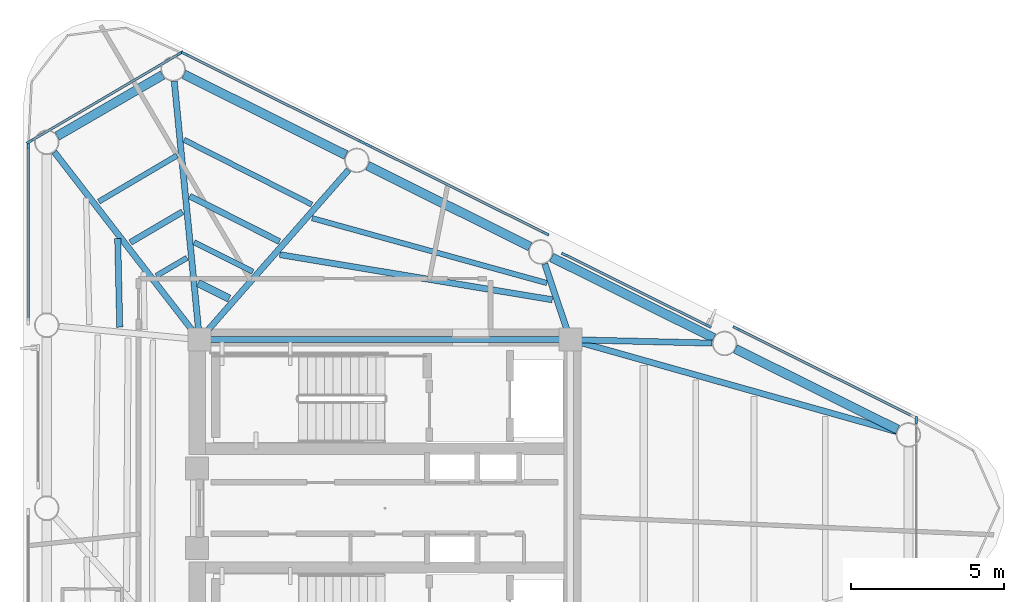
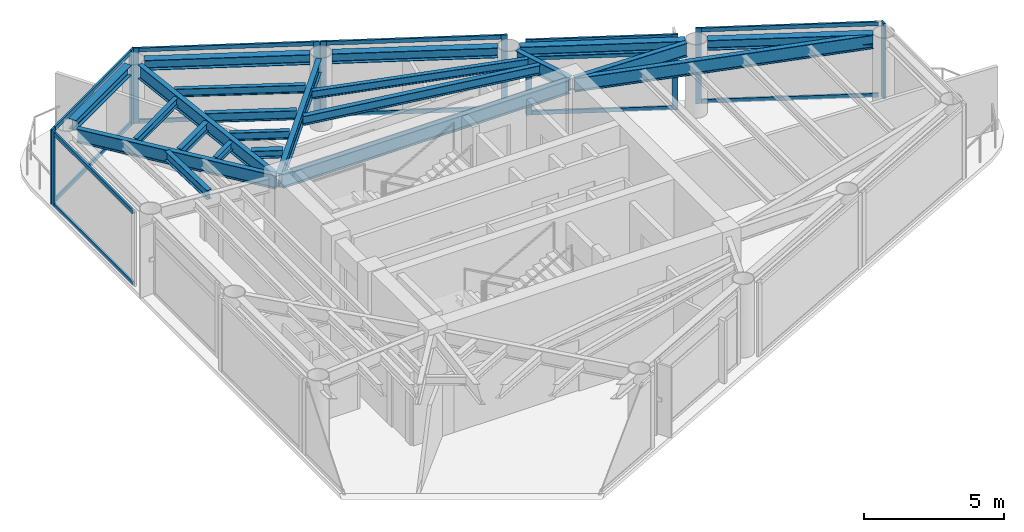
# One storey, part 3 of 10: 24 members, 22 beams, 7 elements without a shape of their own.
"""IFC4 building model written with IfcOpenShell, lengths in metres."""

from ifc_helpers import new_model, si_unit, direction, frame, origin, origin_2d, place, context, subcontext, project, spatial, rectangle, i_section, extrude, source, transform, mapped, material, layer, layer_set, material_profile, profile_set, type_object, element, aggregate, save


model = new_model("IFC4")

# Units and contexts
model_context = context("Model", 3, precision=1e-05, world=origin(), true_north=direction((0.0, 1.0)))
body_context = subcontext(model_context, "Body", "Model", "MODEL_VIEW")
ifc_project = project(units=[si_unit("LENGTHUNIT", "METRE"), si_unit("AREAUNIT", "SQUARE_METRE"), si_unit("VOLUMEUNIT", "CUBIC_METRE"), si_unit("PLANEANGLEUNIT", "RADIAN"), si_unit("MASSUNIT", "GRAM", prefix="KILO")], contexts=[model_context])

# Site, building, storey
site_placement = place(None, origin())
site = spatial("IfcSite", under=ifc_project, at=site_placement, CompositionType="ELEMENT")
building_placement = place(site_placement, origin())
building = spatial("IfcBuilding", under=site, at=building_placement, Name="Yunling Apex Tower", CompositionType="ELEMENT")
storey_placement = place(building_placement, frame((0.0, 0.0, 314.0)))
storey = spatial("IfcBuildingStorey", under=building, at=storey_placement, Name="L77", CompositionType="ELEMENT", Elevation=314.0)

# Beams
ifc_material_1 = material(Name="Steel Q355B", Category="steel")
ifc_material_profile_1 = material_profile(ifc_material_1, i_section(OverallWidth=0.199951171875, OverallDepth=0.60009765625, WebThickness=0.010986328125, FlangeThickness=0.01708984375, FilletRadius=0.02197265625, at=origin_2d()))
ifc_profile_set_1 = profile_set([ifc_material_profile_1], Name="Steel Q355B")
beam_type_1 = type_object("IfcBeamType", Name="BG-PRI-5", PredefinedType="USERDEFINED", material=ifc_profile_set_1)
shared_shape_1 = source(origin(), body_context, "Body", "SweptSolid", [
    extrude(i_section(OverallWidth=0.199951171875, OverallDepth=0.60009765625, WebThickness=0.010986328125, FlangeThickness=0.01708984375, FilletRadius=0.02197265625, at=origin_2d()), origin(), (0.0, 0.0, 1.0), 11.7998046875),
])
beam_1_placement = place(storey_placement, frame((5.89990234375, 5.5, 2.889892578125), z_axis=(-1.0, 0.0, 0.0), x_axis=(0.0, -1.0, 0.0)))
element("IfcBeam", 1, at=beam_1_placement, inside=storey, type_object=beam_type_1, Name="L77 Core Ring Tie Beam 3", ObjectType="GIRDER", PredefinedType="USERDEFINED", context=body_context, shape_type="MappedRepresentation", body=[
    mapped(shared_shape_1, transform((0.0, 0.0, 0.0), scale=1.0)),
])
ifc_material_profile_2 = material_profile(ifc_material_1, i_section(OverallWidth=0.300048828125, OverallDepth=0.43994140625, WebThickness=0.010986328125, FlangeThickness=0.01806640625, FilletRadius=0.02197265625, at=origin_2d()))
ifc_profile_set_2 = profile_set([ifc_material_profile_2], Name="Steel Q355B")
beam_type_2 = type_object("IfcBeamType", Name="BP-SPN-3", PredefinedType="SPANDREL", material=ifc_profile_set_2)
shared_shape_2 = source(origin(), body_context, "Body", "SweptSolid", [
    extrude(i_section(OverallWidth=0.300048828125, OverallDepth=0.43994140625, WebThickness=0.010986328125, FlangeThickness=0.01806640625, FilletRadius=0.02197265625, at=origin_2d()), origin(), (0.0, 0.0, 1.0), 5.914306640625),
])
for number, where, z_axis, x_axis, name in (
    (2, (4.733642578125, 8.539794921875, 2.969970703125), (-0.895267705164, 0.445528602999, 0.0), (-0.445528602999, -0.895267705164, 0.0), "L77 Perimeter Spandrel Beam 8"),
    (3, (-1.2666015625, 11.52587890625, 2.969970703125), (-0.895243044542, 0.445578153861, 0.0), (-0.445578153861, -0.895243044542, 0.0), "L77 Perimeter Spandrel Beam 9"),
):
    element("IfcBeam", number, at=place(storey_placement, frame(where, z_axis=z_axis, x_axis=x_axis)), inside=storey, type_object=beam_type_2, Name=name, PredefinedType="SPANDREL", context=body_context, shape_type="MappedRepresentation", body=[
        mapped(shared_shape_2, transform((0.0, 0.0, 0.0), scale=1.0)),
    ])
shared_shape_3 = source(origin(), body_context, "Body", "SweptSolid", [
    extrude(i_section(OverallWidth=0.300048828125, OverallDepth=0.43994140625, WebThickness=0.010986328125, FlangeThickness=0.01806640625, FilletRadius=0.02197265625, at=origin_2d()), origin(), (0.0, 0.0, 1.0), 5.9140625),
])
for number, where, z_axis, x_axis, name in (
    (4, (16.73388671875, 2.567138671875, 2.969970703125), (-0.895259510924, 0.445545068539, 0.0), (-0.445545068539, -0.895259510924, 0.0), "L77 Perimeter Spandrel Beam 6"),
    (5, (10.733642578125, 5.553466796875, 2.969970703125), (-0.895259510924, 0.445545068539, 0.0), (-0.445545068539, -0.895259510924, 0.0), "L77 Perimeter Spandrel Beam 7"),
):
    element("IfcBeam", number, at=place(storey_placement, frame(where, z_axis=z_axis, x_axis=x_axis)), inside=storey, type_object=beam_type_2, Name=name, PredefinedType="SPANDREL", context=body_context, shape_type="MappedRepresentation", body=[
        mapped(shared_shape_3, transform((0.0, 0.0, 0.0), scale=1.0)),
    ])
shared_shape_4 = source(origin(), body_context, "Body", "SweptSolid", [
    extrude(i_section(OverallWidth=0.300048828125, OverallDepth=0.43994140625, WebThickness=0.010986328125, FlangeThickness=0.01806640625, FilletRadius=0.02197265625, at=origin_2d()), origin(), (0.0, 0.0, 1.0), 3.978515625),
])
beam_2_placement = place(storey_placement, frame((-7.2548828125, 14.138916015625, 2.969970703125), z_axis=(-0.865064744393, -0.501660231639, 0.0), x_axis=(0.501660231639, -0.865064744393, 0.0)))
element("IfcBeam", 6, at=beam_2_placement, inside=storey, type_object=beam_type_2, Name="L77 Perimeter Spandrel Beam 10", PredefinedType="SPANDREL", context=body_context, shape_type="MappedRepresentation", body=[
    mapped(shared_shape_4, transform((0.0, 0.0, 0.0), scale=1.0)),
])
shared_shape_5 = source(origin(), body_context, "Body", "SweptSolid", [
    extrude(i_section(OverallWidth=0.199951171875, OverallDepth=0.60009765625, WebThickness=0.010986328125, FlangeThickness=0.01708984375, FilletRadius=0.02197265625, at=origin_2d()), origin(), (0.0, 0.0, 1.0), 8.390869140625),
])
beam_3_placement = place(storey_placement, frame((-6.874267578125, 13.9306640625, 2.889892578125), z_axis=(0.097296792844, -0.995255411491, 0.0), x_axis=(0.995255411491, 0.097296792844, 0.0)))
element("IfcBeam", 7, at=beam_3_placement, inside=storey, type_object=beam_type_1, Name="L77 Radial Primary Girder R10", ObjectType="GIRDER", PredefinedType="USERDEFINED", context=body_context, shape_type="MappedRepresentation", body=[
    mapped(shared_shape_5, transform((0.0, 0.0, 0.0), scale=1.0)),
])
shared_shape_6 = source(origin(), body_context, "Body", "SweptSolid", [
    extrude(i_section(OverallWidth=0.199951171875, OverallDepth=0.60009765625, WebThickness=0.010986328125, FlangeThickness=0.01708984375, FilletRadius=0.02197265625, at=origin_2d()), origin(), (0.0, 0.0, 1.0), 7.297119140625),
])
beam_4_placement = place(storey_placement, frame((-1.18310546875, 11.043701171875, 2.889892578125), z_axis=(-0.659747259747, -0.751487560281, 0.0), x_axis=(0.751487560281, -0.659747259747, 0.0)))
element("IfcBeam", 8, at=beam_4_placement, inside=storey, type_object=beam_type_1, Name="L77 Radial Primary Girder R09", ObjectType="GIRDER", PredefinedType="USERDEFINED", context=body_context, shape_type="MappedRepresentation", body=[
    mapped(shared_shape_6, transform((0.0, 0.0, 0.0), scale=1.0)),
])
shared_shape_7 = source(origin(), body_context, "Body", "SweptSolid", [
    extrude(i_section(OverallWidth=0.199951171875, OverallDepth=0.60009765625, WebThickness=0.010986328125, FlangeThickness=0.01708984375, FilletRadius=0.02197265625, at=origin_2d()), origin(), (0.0, 0.0, 1.0), 2.533935546875),
])
beam_5_placement = place(storey_placement, frame((5.21630859375, 7.977294921875, 2.889892578125), z_axis=(0.318914628896, -0.947783445454, 0.0), x_axis=(0.947783445454, 0.318914628896, 0.0)))
element("IfcBeam", 9, at=beam_5_placement, inside=storey, type_object=beam_type_1, Name="L77 Radial Primary Girder R08", ObjectType="GIRDER", PredefinedType="USERDEFINED", context=body_context, shape_type="MappedRepresentation", body=[
    mapped(shared_shape_7, transform((0.0, 0.0, 0.0), scale=1.0)),
])
shared_shape_8 = source(origin(), body_context, "Body", "SweptSolid", [
    extrude(i_section(OverallWidth=0.199951171875, OverallDepth=0.60009765625, WebThickness=0.010986328125, FlangeThickness=0.01708984375, FilletRadius=0.02197265625, at=origin_2d()), origin(), (0.0, 0.0, 1.0), 4.5498046875),
])
beam_6_placement = place(storey_placement, frame((10.678466796875, 5.3876953125, 2.889892578125), z_axis=(-0.999705840498, 0.024253504369, 0.0), x_axis=(-0.024253504369, -0.999705840498, 0.0)))
element("IfcBeam", 10, at=beam_6_placement, inside=storey, type_object=beam_type_1, Name="L77 Radial Primary Girder R07", ObjectType="GIRDER", PredefinedType="USERDEFINED", context=body_context, shape_type="MappedRepresentation", body=[
    mapped(shared_shape_8, transform((0.0, 0.0, 0.0), scale=1.0)),
])
shared_shape_9 = source(origin(), body_context, "Body", "SweptSolid", [
    extrude(i_section(OverallWidth=0.199951171875, OverallDepth=0.60009765625, WebThickness=0.010986328125, FlangeThickness=0.01708984375, FilletRadius=0.02197265625, at=origin_2d()), origin(), (0.0, 0.0, 1.0), 10.97802734375),
])
beam_7_placement = place(storey_placement, frame((16.69384765625, 2.502197265625, 2.889892578125), z_axis=(-0.962552702816, 0.271094622414, 0.0), x_axis=(-0.271094622414, -0.962552702816, 0.0)))
element("IfcBeam", 11, at=beam_7_placement, inside=storey, type_object=beam_type_1, Name="L77 Radial Primary Girder R06", ObjectType="GIRDER", PredefinedType="USERDEFINED", context=body_context, shape_type="MappedRepresentation", body=[
    mapped(shared_shape_9, transform((0.0, 0.0, 0.0), scale=1.0)),
])
shared_shape_10 = source(origin(), body_context, "Body", "SweptSolid", [
    extrude(i_section(OverallWidth=0.199951171875, OverallDepth=0.60009765625, WebThickness=0.010986328125, FlangeThickness=0.01708984375, FilletRadius=0.02197265625, at=origin_2d()), origin(), (0.0, 0.0, 1.0), 7.661376953125),
])
beam_8_placement = place(storey_placement, frame((-10.78759765625, 11.62255859375, 2.889892578125), z_axis=(0.611959789037, -0.790888877531, 0.0), x_axis=(0.790888877531, 0.611959789037, 0.0)))
element("IfcBeam", 12, at=beam_8_placement, inside=storey, type_object=beam_type_1, Name="L77 Radial Primary Girder R11", ObjectType="GIRDER", PredefinedType="USERDEFINED", context=body_context, shape_type="MappedRepresentation", body=[
    mapped(shared_shape_10, transform((0.0, 0.0, 0.0), scale=1.0)),
])
ifc_material_profile_3 = material_profile(ifc_material_1, i_section(OverallWidth=0.199951171875, OverallDepth=0.39990234375, WebThickness=0.008056640625, FlangeThickness=0.012939453125, FilletRadius=0.01611328125, at=origin_2d()))
ifc_profile_set_3 = profile_set([ifc_material_profile_3], Name="Steel Q355B")
beam_type_3 = type_object("IfcBeamType", Name="BS-SEC-4", PredefinedType="BEAM", material=ifc_profile_set_3)
shared_shape_11 = source(origin(), body_context, "Body", "SweptSolid", [
    extrude(i_section(OverallWidth=0.199951171875, OverallDepth=0.39990234375, WebThickness=0.008056640625, FlangeThickness=0.012939453125, FilletRadius=0.01611328125, at=origin_2d()), origin(), (0.0, 0.0, 1.0), 3.281494140625),
])
beam_9_placement = place(storey_placement, frame((-3.444091796875, 8.703125, 2.989990234375), z_axis=(-0.892364297468, 0.451315810275, 0.0), x_axis=(-0.451315810275, -0.892364297468, 0.0)))
element("IfcBeam", 13, at=beam_9_placement, inside=storey, type_object=beam_type_3, Name="L77 Composite Floor Beam BS-9", PredefinedType="BEAM", context=body_context, shape_type="MappedRepresentation", body=[
    mapped(shared_shape_11, transform((0.0, 0.0, 0.0), scale=1.0)),
])
ifc_material_profile_4 = material_profile(ifc_material_1, i_section(OverallWidth=0.175048828125, OverallDepth=0.35009765625, WebThickness=0.007080078125, FlangeThickness=0.010986328125, FilletRadius=0.013916015625, at=origin_2d()))
ifc_profile_set_4 = profile_set([ifc_material_profile_4], Name="Steel Q355B")
beam_type_4 = type_object("IfcBeamType", Name="BJ-JST-1", PredefinedType="JOIST", material=ifc_profile_set_4)
shared_shape_12 = source(origin(), body_context, "Body", "SweptSolid", [
    extrude(i_section(OverallWidth=0.175048828125, OverallDepth=0.35009765625, WebThickness=0.007080078125, FlangeThickness=0.010986328125, FilletRadius=0.013916015625, at=origin_2d()), origin(), (0.0, 0.0, 1.0), 4.67138671875),
])
beam_10_placement = place(storey_placement, frame((-2.385009765625, 9.90966796875, 3.014892578125), z_axis=(-0.892031280848, 0.45197366515, 0.0), x_axis=(-0.45197366515, -0.892031280848, 0.0)))
element("IfcBeam", 14, at=beam_10_placement, inside=storey, type_object=beam_type_4, Name="L77 Composite Floor Joist BJ1-9", PredefinedType="JOIST", context=body_context, shape_type="MappedRepresentation", body=[
    mapped(shared_shape_12, transform((0.0, 0.0, 0.0), scale=1.0)),
])
shared_shape_13 = source(origin(), body_context, "Body", "SweptSolid", [
    extrude(i_section(OverallWidth=0.175048828125, OverallDepth=0.35009765625, WebThickness=0.007080078125, FlangeThickness=0.010986328125, FilletRadius=0.013916015625, at=origin_2d()), origin(), (0.0, 0.0, 1.0), 2.143798828125),
])
beam_11_placement = place(storey_placement, frame((-4.310791015625, 7.7158203125, 3.014892578125), z_axis=(-0.892941835578, 0.45017205408, 0.0), x_axis=(-0.45017205408, -0.892941835578, 0.0)))
element("IfcBeam", 15, at=beam_11_placement, inside=storey, type_object=beam_type_4, Name="L77 Composite Floor Joist BJ3-9", PredefinedType="JOIST", context=body_context, shape_type="MappedRepresentation", body=[
    mapped(shared_shape_13, transform((0.0, 0.0, 0.0), scale=1.0)),
])
ifc_material_profile_5 = material_profile(ifc_material_1, i_section(OverallWidth=0.25, OverallDepth=0.340087890625, WebThickness=0.009033203125, FlangeThickness=0.013916015625, FilletRadius=0.01806640625, at=origin_2d()))
ifc_profile_set_5 = profile_set([ifc_material_profile_5], Name="Steel Q355B")
beam_type_5 = type_object("IfcBeamType", Name="BJ-JST-2", PredefinedType="JOIST", material=ifc_profile_set_5)
shared_shape_14 = source(origin(), body_context, "Body", "SweptSolid", [
    extrude(i_section(OverallWidth=0.25, OverallDepth=0.340087890625, WebThickness=0.009033203125, FlangeThickness=0.013916015625, FilletRadius=0.01806640625, at=origin_2d()), origin(), (0.0, 0.0, 1.0), 1.1328125),
])
beam_12_placement = place(storey_placement, frame((-5.081298828125, 6.838134765625, 3.02001953125), z_axis=(-0.894211562533, 0.447644592765, 0.0), x_axis=(-0.447644592765, -0.894211562533, 0.0)))
element("IfcBeam", 16, at=beam_12_placement, inside=storey, type_object=beam_type_5, Name="L77 Composite Floor Joist BJ2-9", PredefinedType="JOIST", context=body_context, shape_type="MappedRepresentation", body=[
    mapped(shared_shape_14, transform((0.0, 0.0, 0.0), scale=1.0)),
])
shared_shape_15 = source(origin(), body_context, "Body", "SweptSolid", [
    extrude(i_section(OverallWidth=0.199951171875, OverallDepth=0.39990234375, WebThickness=0.008056640625, FlangeThickness=0.012939453125, FilletRadius=0.01611328125, at=origin_2d()), origin(), (0.0, 0.0, 1.0), 9.01611328125),
])
beam_13_placement = place(storey_placement, frame((5.462646484375, 6.802734375, 2.989990234375), z_axis=(-0.986561729833, 0.163388962996, 0.0), x_axis=(-0.163388962996, -0.986561729833, 0.0)))
element("IfcBeam", 17, at=beam_13_placement, inside=storey, type_object=beam_type_3, Name="L77 Composite Floor Beam BS-8", PredefinedType="BEAM", context=body_context, shape_type="MappedRepresentation", body=[
    mapped(shared_shape_15, transform((0.0, 0.0, 0.0), scale=1.0)),
])
shared_shape_16 = source(origin(), body_context, "Body", "SweptSolid", [
    extrude(i_section(OverallWidth=0.175048828125, OverallDepth=0.35009765625, WebThickness=0.007080078125, FlangeThickness=0.010986328125, FilletRadius=0.013916015625, at=origin_2d()), origin(), (0.0, 0.0, 1.0), 7.952392578125),
])
beam_14_placement = place(storey_placement, frame((5.288330078125, 7.34765625, 3.014892578125), z_axis=(-0.963874198485, 0.266357897377, 0.0), x_axis=(-0.266357897377, -0.963874198485, 0.0)))
element("IfcBeam", 18, at=beam_14_placement, inside=storey, type_object=beam_type_4, Name="L77 Composite Floor Joist BJ1-8", PredefinedType="JOIST", context=body_context, shape_type="MappedRepresentation", body=[
    mapped(shared_shape_16, transform((0.0, 0.0, 0.0), scale=1.0)),
])
shared_shape_17 = source(origin(), body_context, "Body", "SweptSolid", [
    extrude(i_section(OverallWidth=0.199951171875, OverallDepth=0.39990234375, WebThickness=0.008056640625, FlangeThickness=0.012939453125, FilletRadius=0.01611328125, at=origin_2d()), origin(), (0.0, 0.0, 1.0), 1.9736328125),
])
beam_15_placement = place(storey_placement, frame((-6.60400390625, 9.674072265625, 2.989990234375), z_axis=(-0.862118606545, -0.506706530694, 0.0), x_axis=(0.506706530694, -0.862118606545, 0.0)))
element("IfcBeam", 19, at=beam_15_placement, inside=storey, type_object=beam_type_3, Name="L77 Composite Floor Beam BS-10", PredefinedType="BEAM", context=body_context, shape_type="MappedRepresentation", body=[
    mapped(shared_shape_17, transform((0.0, 0.0, 0.0), scale=1.0)),
])
shared_shape_18 = source(origin(), body_context, "Body", "SweptSolid", [
    extrude(i_section(OverallWidth=0.175048828125, OverallDepth=0.35009765625, WebThickness=0.007080078125, FlangeThickness=0.010986328125, FilletRadius=0.013916015625, at=origin_2d()), origin(), (0.0, 0.0, 1.0), 2.96337890625),
])
beam_16_placement = place(storey_placement, frame((-6.783447265625, 11.510986328125, 3.014892578125), z_axis=(-0.861658767358, -0.507488097038, 0.0), x_axis=(0.507488097038, -0.861658767358, 0.0)))
element("IfcBeam", 20, at=beam_16_placement, inside=storey, type_object=beam_type_4, Name="L77 Composite Floor Joist BJ1-10", PredefinedType="JOIST", context=body_context, shape_type="MappedRepresentation", body=[
    mapped(shared_shape_18, transform((0.0, 0.0, 0.0), scale=1.0)),
])
shared_shape_19 = source(origin(), body_context, "Body", "SweptSolid", [
    extrude(i_section(OverallWidth=0.175048828125, OverallDepth=0.35009765625, WebThickness=0.007080078125, FlangeThickness=0.010986328125, FilletRadius=0.013916015625, at=origin_2d()), origin(), (0.0, 0.0, 1.0), 1.16357421875),
])
beam_17_placement = place(storey_placement, frame((-6.457275390625, 8.171142578125, 3.014892578125), z_axis=(-0.862833680606, -0.50548792232, 0.0), x_axis=(0.50548792232, -0.862833680606, 0.0)))
element("IfcBeam", 21, at=beam_17_placement, inside=storey, type_object=beam_type_4, Name="L77 Composite Floor Joist BJ3-10", PredefinedType="JOIST", context=body_context, shape_type="MappedRepresentation", body=[
    mapped(shared_shape_19, transform((0.0, 0.0, 0.0), scale=1.0)),
])
shared_shape_20 = source(origin(), body_context, "Body", "SweptSolid", [
    extrude(i_section(OverallWidth=0.199951171875, OverallDepth=0.39990234375, WebThickness=0.008056640625, FlangeThickness=0.012939453125, FilletRadius=0.01611328125, at=origin_2d()), origin(), (0.0, 0.0, 1.0), 2.890869140625),
])
beam_18_placement = place(storey_placement, frame((-8.720947265625, 8.796630859375, 2.989990234375), z_axis=(0.023139604217, -0.999732243512, 0.0), x_axis=(0.999732243512, 0.023139604217, 0.0)))
element("IfcBeam", 22, at=beam_18_placement, inside=storey, type_object=beam_type_3, Name="L77 Composite Floor Beam BS-11", PredefinedType="BEAM", context=body_context, shape_type="MappedRepresentation", body=[
    mapped(shared_shape_20, transform((0.0, 0.0, 0.0), scale=1.0)),
])

# Curtain wall, members
ifc_material_2 = material(Name="Bronze anodised aluminium", Category="aluminium")
ifc_layer = layer(ifc_material_2, 0.219970703125)
ifc_layer_set = layer_set([ifc_layer], Name="Bronze anodised aluminium")
curtain_wall_type = type_object("IfcCurtainWallType", Name="CW-SYS-4", PredefinedType="NOTDEFINED", material=ifc_layer_set)
curtain_wall_1_placement = place(storey_placement, origin())
curtain_wall_1 = element("IfcCurtainWall", 23, at=curtain_wall_1_placement, inside=storey, type_object=curtain_wall_type, Name="CW-L77-F2-B4", PredefinedType="NOTDEFINED")
ifc_material_profile_6 = material_profile(ifc_material_2, rectangle(XDim=0.080078125, YDim=0.169921875, at=origin_2d()))
ifc_profile_set_6 = profile_set([ifc_material_profile_6], Name="Bronze anodised aluminium")
member_type_1 = type_object("IfcMemberType", Name="CW-TRN-4", PredefinedType="USERDEFINED", material=ifc_profile_set_6)
shared_shape_21 = source(origin(), body_context, "Body", "SweptSolid", [
    extrude(rectangle(XDim=0.080078125, YDim=0.169921875, at=origin_2d()), origin(), (0.0, 0.0, 1.0), 6.39013671875),
])
member_1_placement = place(storey_placement, frame((-0.78173828125, 11.966064453125, 0.0400390625), z_axis=(-0.89525092504, 0.445562320238, 0.0), x_axis=(-0.445562320238, -0.89525092504, 0.0)))
member_1 = element("IfcMember", 24, at=member_1_placement, type_object=member_type_1, Name="CW-SYS-4 transom 1.1", ObjectType="TRANSOM", PredefinedType="USERDEFINED", context=body_context, shape_type="MappedRepresentation", body=[
    mapped(shared_shape_21, transform((0.0, 0.0, 0.0), scale=1.0)),
])
member_2_placement = place(storey_placement, frame((-0.78173828125, 11.966064453125, 3.14990234375), z_axis=(-0.89525092504, 0.445562320238, 0.0), x_axis=(-0.445562320238, -0.89525092504, 0.0)))
member_2 = element("IfcMember", 25, at=member_2_placement, type_object=member_type_1, Name="CW-SYS-4 transom 1.2", ObjectType="TRANSOM", PredefinedType="USERDEFINED", context=body_context, shape_type="MappedRepresentation", body=[
    mapped(shared_shape_21, transform((0.0, 0.0, 0.0), scale=1.0)),
])

curtain_wall_2_placement = place(storey_placement, origin())
curtain_wall_2 = element("IfcCurtainWall", 26, at=curtain_wall_2_placement, inside=storey, type_object=curtain_wall_type, Name="CW-L77-F2-B1", PredefinedType="NOTDEFINED")
shared_shape_22 = source(origin(), body_context, "Body", "SweptSolid", [
    extrude(rectangle(XDim=0.080078125, YDim=0.169921875, at=origin_2d()), origin(), (0.0, 0.0, 1.0), 6.390380859375),
])
member_3_placement = place(storey_placement, frame((17.21875, 3.007080078125, 0.0400390625), z_axis=(-0.895258509594, 0.445547080565, 0.0), x_axis=(-0.445547080565, -0.895258509594, 0.0)))
member_3 = element("IfcMember", 27, at=member_3_placement, type_object=member_type_1, Name="CW-SYS-4 transom 1.1", ObjectType="TRANSOM", PredefinedType="USERDEFINED", context=body_context, shape_type="MappedRepresentation", body=[
    mapped(shared_shape_22, transform((0.0, 0.0, 0.0), scale=1.0)),
])
member_4_placement = place(storey_placement, frame((17.21875, 3.007080078125, 3.14990234375), z_axis=(-0.895258509594, 0.445547080565, 0.0), x_axis=(-0.445547080565, -0.895258509594, 0.0)))
member_4 = element("IfcMember", 28, at=member_4_placement, type_object=member_type_1, Name="CW-SYS-4 transom 1.2", ObjectType="TRANSOM", PredefinedType="USERDEFINED", context=body_context, shape_type="MappedRepresentation", body=[
    mapped(shared_shape_22, transform((0.0, 0.0, 0.0), scale=1.0)),
])

curtain_wall_3_placement = place(storey_placement, origin())
curtain_wall_3 = element("IfcCurtainWall", 29, at=curtain_wall_3_placement, inside=storey, type_object=curtain_wall_type, Name="CW-L77-F2-B3", PredefinedType="NOTDEFINED")
member_5_placement = place(storey_placement, frame((5.218505859375, 8.979736328125, 0.0400390625), z_axis=(-0.895243270113, 0.44557770065, 0.0), x_axis=(-0.44557770065, -0.895243270113, 0.0)))
member_5 = element("IfcMember", 30, at=member_5_placement, type_object=member_type_1, Name="CW-SYS-4 transom 1.1", ObjectType="TRANSOM", PredefinedType="USERDEFINED", context=body_context, shape_type="MappedRepresentation", body=[
    mapped(shared_shape_22, transform((0.0, 0.0, 0.0), scale=1.0)),
])
member_6_placement = place(storey_placement, frame((5.218505859375, 8.979736328125, 3.14990234375), z_axis=(-0.895243270113, 0.44557770065, 0.0), x_axis=(-0.44557770065, -0.895243270113, 0.0)))
member_6 = element("IfcMember", 31, at=member_6_placement, type_object=member_type_1, Name="CW-SYS-4 transom 1.2", ObjectType="TRANSOM", PredefinedType="USERDEFINED", context=body_context, shape_type="MappedRepresentation", body=[
    mapped(shared_shape_22, transform((0.0, 0.0, 0.0), scale=1.0)),
])

curtain_wall_4_placement = place(storey_placement, origin())
curtain_wall_4 = element("IfcCurtainWall", 32, at=curtain_wall_4_placement, inside=storey, type_object=curtain_wall_type, Name="CW-L77-F2-B2", PredefinedType="NOTDEFINED")
shared_shape_23 = source(origin(), body_context, "Body", "SweptSolid", [
    extrude(rectangle(XDim=0.080078125, YDim=0.169921875, at=origin_2d()), origin(), (0.0, 0.0, 1.0), 5.150146484375),
])
member_7_placement = place(storey_placement, frame((10.511962890625, 5.96533203125, 0.0400390625), z_axis=(-0.895231613188, 0.445601120676, 0.0), x_axis=(-0.445601120676, -0.895231613188, 0.0)))
member_7 = element("IfcMember", 33, at=member_7_placement, type_object=member_type_1, Name="CW-SYS-4 transom 1.1", ObjectType="TRANSOM", PredefinedType="USERDEFINED", context=body_context, shape_type="MappedRepresentation", body=[
    mapped(shared_shape_23, transform((0.0, 0.0, 0.0), scale=1.0)),
])
member_8_placement = place(storey_placement, frame((10.511962890625, 5.96533203125, 2.42431640625), z_axis=(-0.895231613188, 0.445601120676, 0.0), x_axis=(-0.445601120676, -0.895231613188, 0.0)))
member_8 = element("IfcMember", 34, at=member_8_placement, type_object=member_type_1, Name="CW-SYS-4 transom 1.2", ObjectType="TRANSOM", PredefinedType="USERDEFINED", context=body_context, shape_type="MappedRepresentation", body=[
    mapped(shared_shape_23, transform((0.0, 0.0, 0.0), scale=1.0)),
])
member_9_placement = place(storey_placement, frame((10.511962890625, 5.96533203125, 3.14990234375), z_axis=(-0.895231613188, 0.445601120676, 0.0), x_axis=(-0.445601120676, -0.895231613188, 0.0)))
member_9 = element("IfcMember", 35, at=member_9_placement, type_object=member_type_1, Name="CW-SYS-4 transom 1.3", ObjectType="TRANSOM", PredefinedType="USERDEFINED", context=body_context, shape_type="MappedRepresentation", body=[
    mapped(shared_shape_23, transform((0.0, 0.0, 0.0), scale=1.0)),
])

curtain_wall_5_placement = place(storey_placement, origin())
curtain_wall_5 = element("IfcCurtainWall", 36, at=curtain_wall_5_placement, inside=storey, type_object=curtain_wall_type, Name="CW-L77-CRN2", PredefinedType="NOTDEFINED")
shared_shape_24 = source(origin(), body_context, "Body", "SweptSolid", [
    extrude(rectangle(XDim=0.080078125, YDim=0.169921875, at=origin_2d()), origin(), (0.0, 0.0, 1.0), 5.61767578125),
])
member_10_placement = place(storey_placement, frame((-6.716552734375, 14.82666015625, 0.0400390625), z_axis=(-0.862486715055, -0.506079703558, 0.0), x_axis=(0.506079703558, -0.862486715055, 0.0)))
member_10 = element("IfcMember", 37, at=member_10_placement, type_object=member_type_1, Name="CW-SYS-4 transom 1.1", ObjectType="TRANSOM", PredefinedType="USERDEFINED", context=body_context, shape_type="MappedRepresentation", body=[
    mapped(shared_shape_24, transform((0.0, 0.0, 0.0), scale=1.0)),
])
member_11_placement = place(storey_placement, frame((-6.716552734375, 14.82666015625, 3.14990234375), z_axis=(-0.862486715055, -0.506079703558, 0.0), x_axis=(0.506079703558, -0.862486715055, 0.0)))
member_11 = element("IfcMember", 38, at=member_11_placement, type_object=member_type_1, Name="CW-SYS-4 transom 1.2", ObjectType="TRANSOM", PredefinedType="USERDEFINED", context=body_context, shape_type="MappedRepresentation", body=[
    mapped(shared_shape_24, transform((0.0, 0.0, 0.0), scale=1.0)),
])

curtain_wall_6_placement = place(storey_placement, origin())
curtain_wall_6 = element("IfcCurtainWall", 39, at=curtain_wall_6_placement, inside=storey, type_object=curtain_wall_type, Name="CW-L77-F3-B1", PredefinedType="NOTDEFINED")
shared_shape_25 = source(origin(), body_context, "Body", "SweptSolid", [
    extrude(rectangle(XDim=0.080078125, YDim=0.169921875, at=origin_2d()), origin(), (0.0, 0.0, 1.0), 5.66064453125),
])
member_12_placement = place(storey_placement, frame((-11.647216796875, 11.789306640625, 0.0400390625), z_axis=(0.0, -1.0, 0.0), x_axis=(1.0, 0.0, 0.0)))
member_12 = element("IfcMember", 40, at=member_12_placement, type_object=member_type_1, Name="CW-SYS-4 transom 1.1", ObjectType="TRANSOM", PredefinedType="USERDEFINED", context=body_context, shape_type="MappedRepresentation", body=[
    mapped(shared_shape_25, transform((0.0, 0.0, 0.0), scale=1.0)),
])
member_13_placement = place(storey_placement, frame((-11.647216796875, 11.789306640625, 3.14990234375), z_axis=(0.0, -1.0, 0.0), x_axis=(1.0, 0.0, 0.0)))
member_13 = element("IfcMember", 41, at=member_13_placement, type_object=member_type_1, Name="CW-SYS-4 transom 1.2", ObjectType="TRANSOM", PredefinedType="USERDEFINED", context=body_context, shape_type="MappedRepresentation", body=[
    mapped(shared_shape_25, transform((0.0, 0.0, 0.0), scale=1.0)),
])

# Curtain wall, member
curtain_wall_7_placement = place(storey_placement, origin())
curtain_wall_7 = element("IfcCurtainWall", 42, at=curtain_wall_7_placement, inside=storey, type_object=curtain_wall_type, Name="CW-L77-CRN1", PredefinedType="NOTDEFINED")
ifc_material_profile_7 = material_profile(ifc_material_2, rectangle(XDim=0.080078125, YDim=0.219970703125, at=origin_2d()))
ifc_profile_set_7 = profile_set([ifc_material_profile_7], Name="Bronze anodised aluminium")
member_type_2 = type_object("IfcMemberType", Name="CW-MUL-4", PredefinedType="MULLION", material=ifc_profile_set_7)
shared_shape_26 = source(origin(), body_context, "Body", "SweptSolid", [
    extrude(rectangle(XDim=0.080078125, YDim=0.219970703125, at=origin_2d()), origin(), (0.0, 0.0, 1.0), 3.2900390625),
])
member_14_placement = place(storey_placement, frame((17.349365234375, 2.879638671875, -0.050048828125), z_axis=(0.0, 0.0, 1.0), x_axis=(-1.0, 0.0, 0.0)))
member_14 = element("IfcMember", 43, at=member_14_placement, type_object=member_type_2, Name="CW-SYS-4 mullion 2", PredefinedType="MULLION", context=body_context, shape_type="MappedRepresentation", body=[
    mapped(shared_shape_26, transform((0.0, 0.0, 0.0), scale=1.0)),
])
aggregate(curtain_wall_7, [member_14])

# Member
member_15_placement = place(storey_placement, frame((11.465576171875, 5.870361328125, -0.050048828125), z_axis=(0.0, 0.0, 1.0), x_axis=(-0.445568135078, -0.895248030996, 0.0)))
member_15 = element("IfcMember", 44, at=member_15_placement, type_object=member_type_2, Name="CW-SYS-4 mullion 2", PredefinedType="MULLION", context=body_context, shape_type="MappedRepresentation", body=[
    mapped(shared_shape_26, transform((0.0, 0.0, 0.0), scale=1.0)),
])

aggregate(curtain_wall_2, [member_15, member_3, member_4])

member_16_placement = place(storey_placement, frame((10.544189453125, 5.94921875, -0.050048828125), z_axis=(0.0, 0.0, 1.0), x_axis=(-0.445583360305, -0.895240453185, 0.0)))
member_16 = element("IfcMember", 45, at=member_16_placement, type_object=member_type_2, Name="CW-SYS-4 mullion 1", PredefinedType="MULLION", context=body_context, shape_type="MappedRepresentation", body=[
    mapped(shared_shape_26, transform((0.0, 0.0, 0.0), scale=1.0)),
])

member_17_placement = place(storey_placement, frame((5.869140625, 8.276123046875, -0.050048828125), z_axis=(0.0, 0.0, 1.0), x_axis=(-0.445583360305, -0.895240453185, 0.0)))
member_17 = element("IfcMember", 46, at=member_17_placement, type_object=member_type_2, Name="CW-SYS-4 mullion 2", PredefinedType="MULLION", context=body_context, shape_type="MappedRepresentation", body=[
    mapped(shared_shape_26, transform((0.0, 0.0, 0.0), scale=1.0)),
])

aggregate(curtain_wall_4, [member_16, member_17, member_7, member_8, member_9])

member_18_placement = place(storey_placement, frame((5.250732421875, 8.963623046875, -0.050048828125), z_axis=(0.0, 0.0, 1.0), x_axis=(-0.445562037917, -0.895251065549, 0.0)))
member_18 = element("IfcMember", 47, at=member_18_placement, type_object=member_type_2, Name="CW-SYS-4 mullion 1", PredefinedType="MULLION", context=body_context, shape_type="MappedRepresentation", body=[
    mapped(shared_shape_26, transform((0.0, 0.0, 0.0), scale=1.0)),
])

member_19_placement = place(storey_placement, frame((-0.53466796875, 11.843017578125, -0.050048828125), z_axis=(0.0, 0.0, 1.0), x_axis=(-0.445562037917, -0.895251065549, 0.0)))
member_19 = element("IfcMember", 48, at=member_19_placement, type_object=member_type_2, Name="CW-SYS-4 mullion 2", PredefinedType="MULLION", context=body_context, shape_type="MappedRepresentation", body=[
    mapped(shared_shape_26, transform((0.0, 0.0, 0.0), scale=1.0)),
])

aggregate(curtain_wall_3, [member_18, member_19, member_5, member_6])

member_20_placement = place(storey_placement, frame((-0.74951171875, 11.949951171875, -0.050048828125), z_axis=(0.0, 0.0, 1.0), x_axis=(-0.445568135078, -0.895248030996, 0.0)))
member_20 = element("IfcMember", 49, at=member_20_placement, type_object=member_type_2, Name="CW-SYS-4 mullion 1", PredefinedType="MULLION", context=body_context, shape_type="MappedRepresentation", body=[
    mapped(shared_shape_26, transform((0.0, 0.0, 0.0), scale=1.0)),
])

member_21_placement = place(storey_placement, frame((-6.534912109375, 14.829345703125, -0.050048828125), z_axis=(0.0, 0.0, 1.0), x_axis=(-0.445568135078, -0.895248030996, 0.0)))
member_21 = element("IfcMember", 50, at=member_21_placement, type_object=member_type_2, Name="CW-SYS-4 mullion 2", PredefinedType="MULLION", context=body_context, shape_type="MappedRepresentation", body=[
    mapped(shared_shape_26, transform((0.0, 0.0, 0.0), scale=1.0)),
])

aggregate(curtain_wall_1, [member_20, member_21, member_1, member_2])

member_22_placement = place(storey_placement, frame((-6.685546875, 14.8447265625, -0.050048828125), z_axis=(0.0, 0.0, 1.0), x_axis=(0.506057076658, -0.862499991399, 0.0)))
member_22 = element("IfcMember", 51, at=member_22_placement, type_object=member_type_2, Name="CW-SYS-4 mullion 1", PredefinedType="MULLION", context=body_context, shape_type="MappedRepresentation", body=[
    mapped(shared_shape_26, transform((0.0, 0.0, 0.0), scale=1.0)),
])

member_23_placement = place(storey_placement, frame((-11.5927734375, 11.965576171875, -0.050048828125), z_axis=(0.0, 0.0, 1.0), x_axis=(0.506057076658, -0.862499991399, 0.0)))
member_23 = element("IfcMember", 52, at=member_23_placement, type_object=member_type_2, Name="CW-SYS-4 mullion 2", PredefinedType="MULLION", context=body_context, shape_type="MappedRepresentation", body=[
    mapped(shared_shape_26, transform((0.0, 0.0, 0.0), scale=1.0)),
])

aggregate(curtain_wall_5, [member_22, member_23, member_10, member_11])

member_24_placement = place(storey_placement, frame((-11.647216796875, 11.8251953125, -0.050048828125), z_axis=(0.0, 0.0, 1.0), x_axis=(1.0, 0.0, 0.0)))
member_24 = element("IfcMember", 53, at=member_24_placement, type_object=member_type_2, Name="CW-SYS-4 mullion 1", PredefinedType="MULLION", context=body_context, shape_type="MappedRepresentation", body=[
    mapped(shared_shape_26, transform((0.0, 0.0, 0.0), scale=1.0)),
])

aggregate(curtain_wall_6, [member_24, member_12, member_13])

save(model, "model.ifc")
